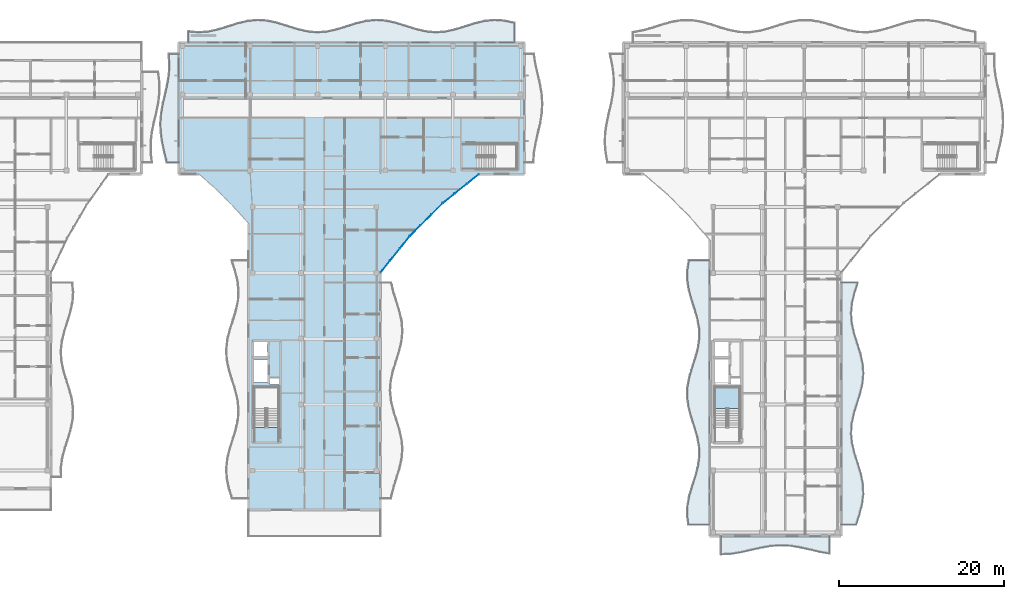
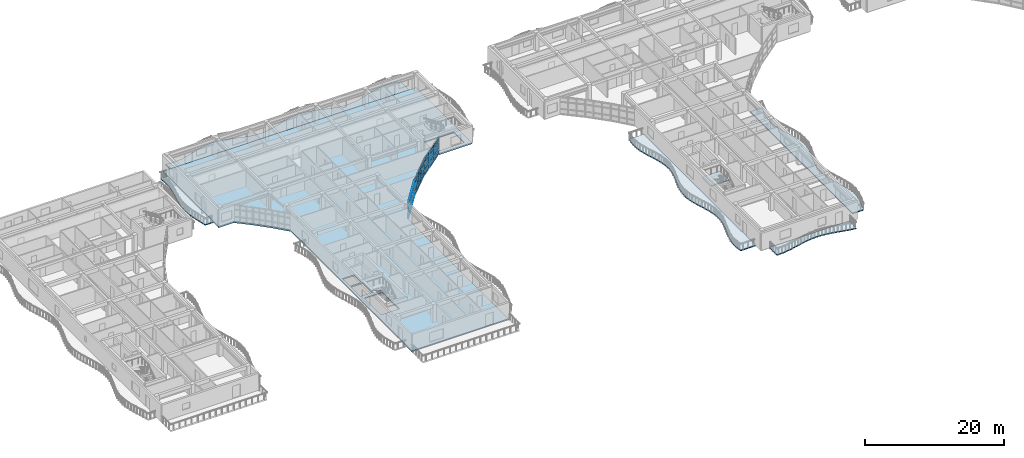
# One storey, part 25 of 71: 27 plates, 7 slabs, 4 elements without a shape of their own.
"""IFC4 building model written with IfcOpenShell, lengths in metres."""

from ifc_helpers import new_model, si_unit, direction, frame, origin, origin_2d, place, context, subcontext, project, spatial, polyline, rectangle, outline, extrude, material, layer, layer_set, type_object, element, aggregate, save


model = new_model("IFC4")

# Units and contexts
model_context = context("Model", 3, precision=1e-05, world=origin(), true_north=direction((0.0, 1.0)))
body_context = subcontext(model_context, "Body", "Model", "MODEL_VIEW")
ifc_project = project(units=[si_unit("LENGTHUNIT", "METRE"), si_unit("AREAUNIT", "SQUARE_METRE"), si_unit("VOLUMEUNIT", "CUBIC_METRE"), si_unit("PLANEANGLEUNIT", "RADIAN"), si_unit("MASSUNIT", "GRAM", prefix="KILO")], contexts=[model_context])

# Site, building, storey
site_placement = place(None, origin())
site = spatial("IfcSite", under=ifc_project, at=site_placement, CompositionType="ELEMENT")
building_placement = place(site_placement, origin())
building = spatial("IfcBuilding", under=site, at=building_placement, Name="Keldmere Railside Commons", CompositionType="ELEMENT")
storey_placement = place(building_placement, frame((0.0, 0.0, 20.159912109375)))
storey = spatial("IfcBuildingStorey", under=building, at=storey_placement, Name="L06", CompositionType="ELEMENT", Elevation=20.159912109375)

# Curtain wall, plates
ifc_material_1 = material(Name="Thermally Broken Aluminium", Category="aluminium")
ifc_layer_1 = layer(ifc_material_1, 0.159912109375, Name="Court Chord Wintergarden CW 4800x2850")
ifc_layer_set_1 = layer_set([ifc_layer_1], Name="Thermally Broken Aluminium")
curtain_wall_type_1 = type_object("IfcCurtainWallType", Name="Court Chord Wintergarden CW 4800x2850", PredefinedType="NOTDEFINED", material=ifc_layer_set_1)
curtain_wall_1_placement = place(storey_placement, origin())
curtain_wall_1 = element("IfcCurtainWall", 1, at=curtain_wall_1_placement, inside=storey, type_object=curtain_wall_type_1, Name="CW-12 CW-L06-061", PredefinedType="NOTDEFINED")
ifc_material_2 = material(Name="Low-E Insulated Double Glazing", Category="glass")
ifc_layer_2 = layer(ifc_material_2, 0.033935546875, Name="Acoustic Laminated Vision Panel 34")
ifc_layer_set_2 = layer_set([ifc_layer_2], Name="Low-E Insulated Double Glazing")
plate_type_1 = type_object("IfcPlateType", Name="Acoustic Laminated Vision Panel 34", PredefinedType="CURTAIN_PANEL", material=ifc_layer_set_2)
plate_1_placement = place(storey_placement, frame((66.951416015625, 91.678955078125, 0.06494140625), z_axis=(0.0, 0.0, 1.0), x_axis=(-0.625768080915, -0.780009172323, 0.0)))
plate_1 = element("IfcPlate", 2, at=plate_1_placement, type_object=plate_type_1, Name="CW-12 panel 1.1", PredefinedType="CURTAIN_PANEL", context=body_context, shape_type="SweptSolid", body=[
    extrude(rectangle(XDim=1.795654296875, YDim=0.033935546875, at=origin_2d()), origin(), (0.0, 0.0, 1.0), 0.802490234375),
])
plate_2_placement = place(storey_placement, frame((66.951416015625, 91.678955078125, 0.9326171875), z_axis=(0.0, 0.0, 1.0), x_axis=(-0.625768080915, -0.780009172323, 0.0)))
plate_2 = element("IfcPlate", 3, at=plate_2_placement, type_object=plate_type_1, Name="CW-12 panel 1.2", PredefinedType="CURTAIN_PANEL", context=body_context, shape_type="SweptSolid", body=[
    extrude(rectangle(XDim=1.795654296875, YDim=0.033935546875, at=origin_2d()), origin(), (0.0, 0.0, 1.0), 1.18505859375),
])
plate_3_placement = place(storey_placement, frame((66.951416015625, 91.678955078125, 2.1826171875), z_axis=(0.0, 0.0, 1.0), x_axis=(-0.625768080915, -0.780009172323, 0.0)))
plate_3 = element("IfcPlate", 4, at=plate_3_placement, type_object=plate_type_1, Name="CW-12 panel 1.3", PredefinedType="CURTAIN_PANEL", context=body_context, shape_type="SweptSolid", body=[
    extrude(rectangle(XDim=1.795654296875, YDim=0.033935546875, at=origin_2d()), origin(), (0.0, 0.0, 1.0), 0.732421875),
])
plate_4_placement = place(storey_placement, frame((65.777099609375, 90.215087890625, 0.06494140625), z_axis=(0.0, 0.0, 1.0), x_axis=(-0.625768080915, -0.780009172323, 0.0)))
plate_4 = element("IfcPlate", 5, at=plate_4_placement, type_object=plate_type_1, Name="CW-12 panel 2.1", PredefinedType="CURTAIN_PANEL", context=body_context, shape_type="SweptSolid", body=[
    extrude(rectangle(XDim=1.828125, YDim=0.033935546875, at=origin_2d()), origin(), (0.0, 0.0, 1.0), 0.802490234375),
])
plate_5_placement = place(storey_placement, frame((65.777099609375, 90.215087890625, 0.9326171875), z_axis=(0.0, 0.0, 1.0), x_axis=(-0.625768080915, -0.780009172323, 0.0)))
plate_5 = element("IfcPlate", 6, at=plate_5_placement, type_object=plate_type_1, Name="CW-12 panel 2.2", PredefinedType="CURTAIN_PANEL", context=body_context, shape_type="SweptSolid", body=[
    extrude(rectangle(XDim=1.828125, YDim=0.033935546875, at=origin_2d()), origin(), (0.0, 0.0, 1.0), 1.18505859375),
])
plate_6_placement = place(storey_placement, frame((65.777099609375, 90.215087890625, 2.1826171875), z_axis=(0.0, 0.0, 1.0), x_axis=(-0.625768080915, -0.780009172323, 0.0)))
plate_6 = element("IfcPlate", 7, at=plate_6_placement, type_object=plate_type_1, Name="CW-12 panel 2.3", PredefinedType="CURTAIN_PANEL", context=body_context, shape_type="SweptSolid", body=[
    extrude(rectangle(XDim=1.828125, YDim=0.033935546875, at=origin_2d()), origin(), (0.0, 0.0, 1.0), 0.732421875),
])
plate_7_placement = place(storey_placement, frame((64.6025390625, 88.7509765625, 0.06494140625), z_axis=(0.0, 0.0, 1.0), x_axis=(-0.625768080915, -0.780009172323, 0.0)))
plate_7 = element("IfcPlate", 8, at=plate_7_placement, type_object=plate_type_1, Name="CW-12 panel 3.1", PredefinedType="CURTAIN_PANEL", context=body_context, shape_type="SweptSolid", body=[
    extrude(rectangle(XDim=1.795654296875, YDim=0.033935546875, at=origin_2d()), origin(), (0.0, 0.0, 1.0), 0.802490234375),
])
plate_8_placement = place(storey_placement, frame((64.6025390625, 88.7509765625, 0.9326171875), z_axis=(0.0, 0.0, 1.0), x_axis=(-0.625768080915, -0.780009172323, 0.0)))
plate_8 = element("IfcPlate", 9, at=plate_8_placement, type_object=plate_type_1, Name="CW-12 panel 3.2", PredefinedType="CURTAIN_PANEL", context=body_context, shape_type="SweptSolid", body=[
    extrude(rectangle(XDim=1.795654296875, YDim=0.033935546875, at=origin_2d()), origin(), (0.0, 0.0, 1.0), 1.18505859375),
])
plate_9_placement = place(storey_placement, frame((64.6025390625, 88.7509765625, 2.1826171875), z_axis=(0.0, 0.0, 1.0), x_axis=(-0.625768080915, -0.780009172323, 0.0)))
plate_9 = element("IfcPlate", 10, at=plate_9_placement, type_object=plate_type_1, Name="CW-12 panel 3.3", PredefinedType="CURTAIN_PANEL", context=body_context, shape_type="SweptSolid", body=[
    extrude(rectangle(XDim=1.795654296875, YDim=0.033935546875, at=origin_2d()), origin(), (0.0, 0.0, 1.0), 0.732421875),
])
aggregate(curtain_wall_1, [plate_1, plate_2, plate_3, plate_4, plate_5, plate_6, plate_7, plate_8, plate_9])

ifc_layer_3 = layer(ifc_material_1, 0.159912109375, Name="Court Chord Wintergarden CW 5400x2850")
ifc_layer_set_3 = layer_set([ifc_layer_3], Name="Thermally Broken Aluminium")
curtain_wall_type_2 = type_object("IfcCurtainWallType", Name="Court Chord Wintergarden CW 5400x2850", PredefinedType="NOTDEFINED", material=ifc_layer_set_3)
curtain_wall_2_placement = place(storey_placement, origin())
curtain_wall_2 = element("IfcCurtainWall", 11, at=curtain_wall_2_placement, inside=storey, type_object=curtain_wall_type_2, Name="CW-13 CW-L06-062", PredefinedType="NOTDEFINED")
ifc_layer_4 = layer(ifc_material_2, 0.031982421875, Name="Clerestory Solar-Control Vision Panel 32")
ifc_layer_set_4 = layer_set([ifc_layer_4], Name="Low-E Insulated Double Glazing")
plate_type_2 = type_object("IfcPlateType", Name="Clerestory Solar-Control Vision Panel 32", PredefinedType="CURTAIN_PANEL", material=ifc_layer_set_4)
plate_10_placement = place(storey_placement, frame((70.88916015625, 95.76513671875, 0.06494140625), z_axis=(0.0, 0.0, 1.0), x_axis=(-0.707106781187, -0.707106781187, 0.0)))
plate_10 = element("IfcPlate", 12, at=plate_10_placement, type_object=plate_type_2, Name="CW-13 panel 1.1", PredefinedType="CURTAIN_PANEL", context=body_context, shape_type="SweptSolid", body=[
    extrude(rectangle(XDim=1.795654296875, YDim=0.031982421875, at=origin_2d()), origin(), (0.0, 0.0, 1.0), 0.802490234375),
])
plate_11_placement = place(storey_placement, frame((70.88916015625, 95.76513671875, 0.9326171875), z_axis=(0.0, 0.0, 1.0), x_axis=(-0.707106781187, -0.707106781187, 0.0)))
plate_11 = element("IfcPlate", 13, at=plate_11_placement, type_object=plate_type_2, Name="CW-13 panel 1.2", PredefinedType="CURTAIN_PANEL", context=body_context, shape_type="SweptSolid", body=[
    extrude(rectangle(XDim=1.795654296875, YDim=0.031982421875, at=origin_2d()), origin(), (0.0, 0.0, 1.0), 1.18505859375),
])
plate_12_placement = place(storey_placement, frame((70.88916015625, 95.76513671875, 2.1826171875), z_axis=(0.0, 0.0, 1.0), x_axis=(-0.707106781187, -0.707106781187, 0.0)))
plate_12 = element("IfcPlate", 14, at=plate_12_placement, type_object=plate_type_2, Name="CW-13 panel 1.3", PredefinedType="CURTAIN_PANEL", context=body_context, shape_type="SweptSolid", body=[
    extrude(rectangle(XDim=1.795654296875, YDim=0.031982421875, at=origin_2d()), origin(), (0.0, 0.0, 1.0), 0.732421875),
])
plate_13_placement = place(storey_placement, frame((69.56201171875, 94.43798828125, 0.06494140625), z_axis=(0.0, 0.0, 1.0), x_axis=(-0.707106781187, -0.707106781187, 0.0)))
plate_13 = element("IfcPlate", 15, at=plate_13_placement, type_object=plate_type_2, Name="CW-13 panel 2.1", PredefinedType="CURTAIN_PANEL", context=body_context, shape_type="SweptSolid", body=[
    extrude(rectangle(XDim=1.828125, YDim=0.031982421875, at=origin_2d()), origin(), (0.0, 0.0, 1.0), 0.802490234375),
])
plate_14_placement = place(storey_placement, frame((69.56201171875, 94.43798828125, 0.9326171875), z_axis=(0.0, 0.0, 1.0), x_axis=(-0.707106781187, -0.707106781187, 0.0)))
plate_14 = element("IfcPlate", 16, at=plate_14_placement, type_object=plate_type_2, Name="CW-13 panel 2.2", PredefinedType="CURTAIN_PANEL", context=body_context, shape_type="SweptSolid", body=[
    extrude(rectangle(XDim=1.828125, YDim=0.031982421875, at=origin_2d()), origin(), (0.0, 0.0, 1.0), 1.18505859375),
])
plate_15_placement = place(storey_placement, frame((69.56201171875, 94.43798828125, 2.1826171875), z_axis=(0.0, 0.0, 1.0), x_axis=(-0.707106781187, -0.707106781187, 0.0)))
plate_15 = element("IfcPlate", 17, at=plate_15_placement, type_object=plate_type_2, Name="CW-13 panel 2.3", PredefinedType="CURTAIN_PANEL", context=body_context, shape_type="SweptSolid", body=[
    extrude(rectangle(XDim=1.828125, YDim=0.031982421875, at=origin_2d()), origin(), (0.0, 0.0, 1.0), 0.732421875),
])
plate_16_placement = place(storey_placement, frame((68.23486328125, 93.11083984375, 0.06494140625), z_axis=(0.0, 0.0, 1.0), x_axis=(-0.707106781187, -0.707106781187, 0.0)))
plate_16 = element("IfcPlate", 18, at=plate_16_placement, type_object=plate_type_2, Name="CW-13 panel 3.1", PredefinedType="CURTAIN_PANEL", context=body_context, shape_type="SweptSolid", body=[
    extrude(rectangle(XDim=1.795654296875, YDim=0.031982421875, at=origin_2d()), origin(), (0.0, 0.0, 1.0), 0.802490234375),
])
plate_17_placement = place(storey_placement, frame((68.23486328125, 93.11083984375, 0.9326171875), z_axis=(0.0, 0.0, 1.0), x_axis=(-0.707106781187, -0.707106781187, 0.0)))
plate_17 = element("IfcPlate", 19, at=plate_17_placement, type_object=plate_type_2, Name="CW-13 panel 3.2", PredefinedType="CURTAIN_PANEL", context=body_context, shape_type="SweptSolid", body=[
    extrude(rectangle(XDim=1.795654296875, YDim=0.031982421875, at=origin_2d()), origin(), (0.0, 0.0, 1.0), 1.18505859375),
])
plate_18_placement = place(storey_placement, frame((68.23486328125, 93.11083984375, 2.1826171875), z_axis=(0.0, 0.0, 1.0), x_axis=(-0.707106781187, -0.707106781187, 0.0)))
plate_18 = element("IfcPlate", 20, at=plate_18_placement, type_object=plate_type_2, Name="CW-13 panel 3.3", PredefinedType="CURTAIN_PANEL", context=body_context, shape_type="SweptSolid", body=[
    extrude(rectangle(XDim=1.795654296875, YDim=0.031982421875, at=origin_2d()), origin(), (0.0, 0.0, 1.0), 0.732421875),
])
aggregate(curtain_wall_2, [plate_10, plate_11, plate_12, plate_13, plate_14, plate_15, plate_16, plate_17, plate_18])

# Stair, slab
ifc_material_3 = material(Name="Concrete H-30 (C30/37)", Category="concrete")
stair_type = type_object("IfcStairType", Name="Basement Garage Dogleg Escape Stair 1450", PredefinedType="HALF_TURN_STAIR", material=ifc_material_3)
stair_placement = place(storey_placement, origin())
stair = element("IfcStair", 21, at=stair_placement, inside=storey, type_object=stair_type, Name="L06 Block B Primary Escape Stair 1", PredefinedType="HALF_TURN_STAIR")
ifc_layer_5 = layer(ifc_material_3, 0.199951171875, Name="Enclosed Stair Landing Slab 200")
ifc_layer_set_5 = layer_set([ifc_layer_5], Name="Concrete H-30 (C30/37)")
slab_type_1 = type_object("IfcSlabType", Name="Enclosed Stair Landing Slab 200", PredefinedType="LANDING", material=ifc_layer_set_5)
slab_1_placement = place(storey_placement, frame((0.0, 0.0, 1.400146484375)))
slab_1 = element("IfcSlab", 22, at=slab_1_placement, type_object=slab_type_1, Name="ST-B1 landing 1", PredefinedType="LANDING", context=body_context, shape_type="SweptSolid", body=[
    extrude(outline(polyline([(107.699951171875, 71.52001953125), (107.699951171875, 74.10009765625), (104.64990234375, 74.10009765625), (104.64990234375, 71.52001953125), (107.699951171875, 71.52001953125)])), origin(), (0.0, 0.0, 1.0), 0.199951171875),
])
aggregate(stair, [slab_1])

# Curtain wall, plates
curtain_wall_3_placement = place(storey_placement, origin())
curtain_wall_3 = element("IfcCurtainWall", 23, at=curtain_wall_3_placement, inside=storey, type_object=curtain_wall_type_1, Name="CW-12 CW-L06-063", PredefinedType="NOTDEFINED")
ifc_layer_6 = layer(ifc_material_2, 0.028076171875, Name="Low-E Vision Glazing Panel 28")
ifc_layer_set_6 = layer_set([ifc_layer_6], Name="Low-E Insulated Double Glazing")
plate_type_3 = type_object("IfcPlateType", Name="Low-E Vision Glazing Panel 28", PredefinedType="CURTAIN_PANEL", material=ifc_layer_set_6)
plate_19_placement = place(storey_placement, frame((75.2490234375, 99.3974609375, 0.06494140625), z_axis=(0.0, 0.0, 1.0), x_axis=(-0.780009172323, -0.625768080915, 0.0)))
plate_19 = element("IfcPlate", 24, at=plate_19_placement, type_object=plate_type_3, Name="CW-12 panel 1.1", PredefinedType="CURTAIN_PANEL", context=body_context, shape_type="SweptSolid", body=[
    extrude(rectangle(XDim=1.795654296875, YDim=0.028076171875, at=origin_2d()), origin(), (0.0, 0.0, 1.0), 0.802490234375),
])
plate_20_placement = place(storey_placement, frame((75.2490234375, 99.3974609375, 0.9326171875), z_axis=(0.0, 0.0, 1.0), x_axis=(-0.780009172323, -0.625768080915, 0.0)))
plate_20 = element("IfcPlate", 25, at=plate_20_placement, type_object=plate_type_3, Name="CW-12 panel 1.2", PredefinedType="CURTAIN_PANEL", context=body_context, shape_type="SweptSolid", body=[
    extrude(rectangle(XDim=1.795654296875, YDim=0.028076171875, at=origin_2d()), origin(), (0.0, 0.0, 1.0), 1.18505859375),
])
plate_21_placement = place(storey_placement, frame((75.2490234375, 99.3974609375, 2.1826171875), z_axis=(0.0, 0.0, 1.0), x_axis=(-0.780009172323, -0.625768080915, 0.0)))
plate_21 = element("IfcPlate", 26, at=plate_21_placement, type_object=plate_type_3, Name="CW-12 panel 1.3", PredefinedType="CURTAIN_PANEL", context=body_context, shape_type="SweptSolid", body=[
    extrude(rectangle(XDim=1.795654296875, YDim=0.028076171875, at=origin_2d()), origin(), (0.0, 0.0, 1.0), 0.732421875),
])
plate_22_placement = place(storey_placement, frame((73.784912109375, 98.222900390625, 0.06494140625), z_axis=(0.0, 0.0, 1.0), x_axis=(-0.780009172323, -0.625768080915, 0.0)))
plate_22 = element("IfcPlate", 27, at=plate_22_placement, type_object=plate_type_3, Name="CW-12 panel 2.1", PredefinedType="CURTAIN_PANEL", context=body_context, shape_type="SweptSolid", body=[
    extrude(rectangle(XDim=1.828125, YDim=0.028076171875, at=origin_2d()), origin(), (0.0, 0.0, 1.0), 0.802490234375),
])
plate_23_placement = place(storey_placement, frame((73.784912109375, 98.222900390625, 0.9326171875), z_axis=(0.0, 0.0, 1.0), x_axis=(-0.780009172323, -0.625768080915, 0.0)))
plate_23 = element("IfcPlate", 28, at=plate_23_placement, type_object=plate_type_3, Name="CW-12 panel 2.2", PredefinedType="CURTAIN_PANEL", context=body_context, shape_type="SweptSolid", body=[
    extrude(rectangle(XDim=1.828125, YDim=0.028076171875, at=origin_2d()), origin(), (0.0, 0.0, 1.0), 1.18505859375),
])
plate_24_placement = place(storey_placement, frame((73.784912109375, 98.222900390625, 2.1826171875), z_axis=(0.0, 0.0, 1.0), x_axis=(-0.780009172323, -0.625768080915, 0.0)))
plate_24 = element("IfcPlate", 29, at=plate_24_placement, type_object=plate_type_3, Name="CW-12 panel 2.3", PredefinedType="CURTAIN_PANEL", context=body_context, shape_type="SweptSolid", body=[
    extrude(rectangle(XDim=1.828125, YDim=0.028076171875, at=origin_2d()), origin(), (0.0, 0.0, 1.0), 0.732421875),
])
plate_25_placement = place(storey_placement, frame((72.321044921875, 97.048583984375, 0.06494140625), z_axis=(0.0, 0.0, 1.0), x_axis=(-0.780009172323, -0.625768080915, 0.0)))
plate_25 = element("IfcPlate", 30, at=plate_25_placement, type_object=plate_type_3, Name="CW-12 panel 3.1", PredefinedType="CURTAIN_PANEL", context=body_context, shape_type="SweptSolid", body=[
    extrude(rectangle(XDim=1.795654296875, YDim=0.028076171875, at=origin_2d()), origin(), (0.0, 0.0, 1.0), 0.802490234375),
])
plate_26_placement = place(storey_placement, frame((72.321044921875, 97.048583984375, 0.9326171875), z_axis=(0.0, 0.0, 1.0), x_axis=(-0.780009172323, -0.625768080915, 0.0)))
plate_26 = element("IfcPlate", 31, at=plate_26_placement, type_object=plate_type_3, Name="CW-12 panel 3.2", PredefinedType="CURTAIN_PANEL", context=body_context, shape_type="SweptSolid", body=[
    extrude(rectangle(XDim=1.795654296875, YDim=0.028076171875, at=origin_2d()), origin(), (0.0, 0.0, 1.0), 1.18505859375),
])
plate_27_placement = place(storey_placement, frame((72.321044921875, 97.048583984375, 2.1826171875), z_axis=(0.0, 0.0, 1.0), x_axis=(-0.780009172323, -0.625768080915, 0.0)))
plate_27 = element("IfcPlate", 32, at=plate_27_placement, type_object=plate_type_3, Name="CW-12 panel 3.3", PredefinedType="CURTAIN_PANEL", context=body_context, shape_type="SweptSolid", body=[
    extrude(rectangle(XDim=1.795654296875, YDim=0.028076171875, at=origin_2d()), origin(), (0.0, 0.0, 1.0), 0.732421875),
])
aggregate(curtain_wall_3, [plate_19, plate_20, plate_21, plate_22, plate_23, plate_24, plate_25, plate_26, plate_27])

# Slabs
ifc_layer_7 = layer(ifc_material_3, 0.219970703125, Name="Residential Flat Slab 220")
ifc_layer_set_7 = layer_set([ifc_layer_7], Name="Concrete H-30 (C30/37)")
slab_type_2 = type_object("IfcSlabType", Name="Residential Flat Slab 220", PredefinedType="FLOOR", material=ifc_layer_set_7)
slab_2_placement = place(storey_placement, frame((0.0, 0.0, -0.219970703125)))
element("IfcSlab", 33, at=slab_2_placement, inside=storey, type_object=slab_type_2, Name="FS-2 BLKC-L06-026", PredefinedType="FLOOR", context=body_context, shape_type="SweptSolid", body=[
    extrude(outline(polyline([(48.0, 59.199951171875), (64.0, 59.199951171875), (64.0, 88.0), (67.553955078125, 92.429931640625), (71.570068359375, 96.446044921875), (76.0, 100.0), (81.5, 100.0), (81.5, 116.0), (39.5, 116.0), (39.5, 100.0), (42.0, 100.0), (44.10791015625, 98.110107421875), (46.110107421875, 96.10791015625), (48.0, 94.0), (48.0, 59.199951171875)]), holes=[polyline([(51.675048828125, 69.22509765625), (48.675048828125, 69.22509765625), (48.675048828125, 74.074951171875), (51.675048828125, 74.074951171875), (51.675048828125, 69.22509765625)]), polyline([(50.60009765625, 74.419921875), (50.60009765625, 75.159912109375), (51.699951171875, 75.159912109375), (51.699951171875, 74.419921875), (50.60009765625, 74.419921875)]), polyline([(50.39990234375, 74.699951171875), (48.39990234375, 74.699951171875), (48.39990234375, 77.5), (50.39990234375, 77.5), (50.39990234375, 74.699951171875)]), polyline([(50.300048828125, 77.75), (48.39990234375, 77.75), (48.39990234375, 79.800048828125), (50.300048828125, 79.800048828125), (50.300048828125, 77.75)]), polyline([(75.72509765625, 103.625), (80.574951171875, 103.625), (80.574951171875, 100.625), (75.72509765625, 100.625), (75.72509765625, 103.625)])]), origin(), (0.0, 0.0, 1.0), 0.219970703125),
])
ifc_material_4 = material(Name="White Precast Concrete H-35 (C35/45)", Category="concrete")
ifc_layer_8 = layer(ifc_material_4, 0.179931640625, Name="Sinusoidal Wave Balcony Slab 180")
ifc_layer_set_8 = layer_set([ifc_layer_8], Name="White Precast Concrete H-35 (C35/45)")
slab_type_3 = type_object("IfcSlabType", Name="Sinusoidal Wave Balcony Slab 180", PredefinedType="FLOOR", material=ifc_layer_set_8)
slab_3_placement = place(storey_placement, frame((0.0, 0.0, -0.179931640625)))
element("IfcSlab", 34, at=slab_3_placement, inside=storey, type_object=slab_type_3, Name="WB-1 C L06 N Wave Balcony", PredefinedType="FLOOR", context=body_context, shape_type="SweptSolid", body=[
    extrude(outline(polyline([(40.699951171875, 116.0), (41.89990234375, 116.0), (43.10009765625, 116.0), (44.300048828125, 116.0), (45.5, 116.0), (46.699951171875, 116.0), (47.89990234375, 116.0), (49.10009765625, 116.0), (50.300048828125, 116.0), (51.5, 116.0), (52.699951171875, 116.0), (53.89990234375, 116.0), (55.10009765625, 116.0), (56.300048828125, 116.0), (57.5, 116.0), (58.699951171875, 116.0), (59.89990234375, 116.0), (61.10009765625, 116.0), (62.300048828125, 116.0), (63.5, 116.0), (64.699951171875, 116.0), (65.89990234375, 116.0), (67.10009765625, 116.0), (68.300048828125, 116.0), (69.5, 116.0), (70.699951171875, 116.0), (71.89990234375, 116.0), (73.10009765625, 116.0), (74.300048828125, 116.0), (75.5, 116.0), (76.699951171875, 116.0), (77.89990234375, 116.0), (79.10009765625, 116.0), (80.300048828125, 116.0), (80.300048828125, 118.349853515625), (79.10009765625, 118.613525390625), (77.89990234375, 118.699462890625), (76.699951171875, 118.58447265625), (75.5, 118.299560546875), (74.300048828125, 117.9208984375), (73.10009765625, 117.550048828125), (71.89990234375, 117.286376953125), (70.699951171875, 117.20068359375), (69.5, 117.3154296875), (68.300048828125, 117.6005859375), (67.10009765625, 117.97900390625), (65.89990234375, 118.349853515625), (64.699951171875, 118.613525390625), (63.5, 118.699462890625), (62.300048828125, 118.58447265625), (61.10009765625, 118.299560546875), (59.89990234375, 117.9208984375), (58.699951171875, 117.550048828125), (57.5, 117.286376953125), (56.300048828125, 117.20068359375), (55.10009765625, 117.3154296875), (53.89990234375, 117.6005859375), (52.699951171875, 117.97900390625), (51.5, 118.349853515625), (50.300048828125, 118.613525390625), (49.10009765625, 118.699462890625), (47.89990234375, 118.58447265625), (46.699951171875, 118.299560546875), (45.5, 117.9208984375), (44.300048828125, 117.550048828125), (43.10009765625, 117.286376953125), (41.89990234375, 117.20068359375), (40.699951171875, 117.3154296875), (40.699951171875, 116.0)])), origin(), (0.0, 0.0, 1.0), 0.179931640625),
])
slab_4_placement = place(storey_placement, frame((0.0, 0.0, -0.179931640625)))
element("IfcSlab", 35, at=slab_4_placement, inside=storey, type_object=slab_type_3, Name="WB-1 C L06 WW Wave Balcony", PredefinedType="FLOOR", context=body_context, shape_type="SweptSolid", body=[
    extrude(outline(polyline([(39.5, 101.39990234375), (39.5, 102.60009765625), (39.5, 103.800048828125), (39.5, 105.0), (39.5, 106.199951171875), (39.5, 107.39990234375), (39.5, 108.60009765625), (39.5, 109.800048828125), (39.5, 111.0), (39.5, 112.199951171875), (39.5, 113.39990234375), (39.5, 114.60009765625), (38.299560546875, 114.60009765625), (38.397705078125, 113.39990234375), (38.34912109375, 112.199951171875), (38.1669921875, 111.0), (37.899658203125, 109.800048828125), (37.619140625, 108.60009765625), (37.400390625, 107.39990234375), (37.30224609375, 106.199951171875), (37.350830078125, 105.0), (37.533203125, 103.800048828125), (37.80029296875, 102.60009765625), (38.080810546875, 101.39990234375), (39.5, 101.39990234375)])), origin(), (0.0, 0.0, 1.0), 0.179931640625),
])
slab_5_placement = place(storey_placement, frame((0.0, 0.0, -0.179931640625)))
element("IfcSlab", 36, at=slab_5_placement, inside=storey, type_object=slab_type_3, Name="WB-1 B L06 CE Wave Balcony", PredefinedType="FLOOR", context=body_context, shape_type="SweptSolid", body=[
    extrude(outline(polyline([(121.8134765625, 57.39990234375), (122.2080078125, 58.625), (122.53076171875, 59.85009765625), (122.69140625, 61.074951171875), (122.6455078125, 62.300048828125), (122.4052734375, 63.52490234375), (122.0380859375, 64.75), (121.646484375, 65.97509765625), (121.33935546875, 67.199951171875), (121.20263671875, 68.425048828125), (121.2744140625, 69.64990234375), (121.53466796875, 70.875), (121.910888671875, 72.10009765625), (122.2978515625, 73.324951171875), (122.587890625, 74.550048828125), (122.699951171875, 75.77490234375), (122.602783203125, 77.0), (122.323486328125, 78.22509765625), (121.940185546875, 79.449951171875), (121.5595703125, 80.675048828125), (121.287841796875, 81.89990234375), (121.20068359375, 83.125), (121.32275390625, 84.35009765625), (121.619873046875, 85.574951171875), (122.0087890625, 86.800048828125), (120.0, 86.800048828125), (120.0, 85.574951171875), (120.0, 84.35009765625), (120.0, 83.125), (120.0, 81.89990234375), (120.0, 80.675048828125), (120.0, 79.449951171875), (120.0, 78.22509765625), (120.0, 77.0), (120.0, 75.77490234375), (120.0, 74.550048828125), (120.0, 73.324951171875), (120.0, 72.10009765625), (120.0, 70.875), (120.0, 69.64990234375), (120.0, 68.425048828125), (120.0, 67.199951171875), (120.0, 65.97509765625), (120.0, 64.75), (120.0, 63.52490234375), (120.0, 62.300048828125), (120.0, 61.074951171875), (120.0, 59.85009765625), (120.0, 58.625), (120.0, 57.39990234375), (121.8134765625, 57.39990234375)])), origin(), (0.0, 0.0, 1.0), 0.179931640625),
])
slab_6_placement = place(storey_placement, frame((0.0, 0.0, -0.179931640625)))
element("IfcSlab", 37, at=slab_6_placement, inside=storey, type_object=slab_type_3, Name="WB-1 B L06 CW Wave Balcony", PredefinedType="FLOOR", context=body_context, shape_type="SweptSolid", body=[
    extrude(outline(polyline([(104.0, 57.39990234375), (104.0, 58.5888671875), (104.0, 59.77783203125), (104.0, 60.966796875), (104.0, 62.155517578125), (104.0, 63.344482421875), (104.0, 64.533203125), (104.0, 65.72216796875), (104.0, 66.9111328125), (104.0, 68.10009765625), (104.0, 69.288818359375), (104.0, 70.477783203125), (104.0, 71.666748046875), (104.0, 72.855712890625), (104.0, 74.04443359375), (104.0, 75.2333984375), (104.0, 76.422119140625), (104.0, 77.611083984375), (104.0, 78.800048828125), (104.0, 79.989013671875), (104.0, 81.177734375), (104.0, 82.36669921875), (104.0, 83.5556640625), (104.0, 84.744384765625), (104.0, 85.933349609375), (104.0, 87.122314453125), (104.0, 88.31103515625), (104.0, 89.5), (101.52001953125, 89.5), (101.32666015625, 88.31103515625), (101.323486328125, 87.122314453125), (101.51171875, 85.933349609375), (101.841552734375, 84.744384765625), (102.22607421875, 83.5556640625), (102.564453125, 82.36669921875), (102.767333984375, 81.177734375), (102.781494140625, 79.989013671875), (102.603271484375, 78.800048828125), (102.279296875, 77.611083984375), (101.89501953125, 76.422119140625), (101.5517578125, 75.2333984375), (101.33935546875, 74.04443359375), (101.31396484375, 72.855712890625), (101.482421875, 71.666748046875), (101.800048828125, 70.477783203125), (102.183349609375, 69.288818359375), (102.53173828125, 68.10009765625), (102.75341796875, 66.9111328125), (102.789794921875, 65.72216796875), (102.631591796875, 64.533203125), (102.320556640625, 63.344482421875), (101.93798828125, 62.155517578125), (101.585205078125, 60.966796875), (101.3544921875, 59.77783203125), (101.306884765625, 58.5888671875), (101.45458984375, 57.39990234375), (104.0, 57.39990234375)])), origin(), (0.0, 0.0, 1.0), 0.179931640625),
])
slab_7_placement = place(storey_placement, frame((0.0, 0.0, -0.179931640625)))
element("IfcSlab", 38, at=slab_7_placement, inside=storey, type_object=slab_type_3, Name="WB-1 B L06 S Wave Balcony", PredefinedType="FLOOR", context=body_context, shape_type="SweptSolid", body=[
    extrude(outline(polyline([(105.39990234375, 53.80078125), (106.60009765625, 53.859619140625), (107.800048828125, 54.0498046875), (109.0, 54.3203125), (110.199951171875, 54.598876953125), (111.39990234375, 54.810791015625), (112.60009765625, 54.899169921875), (113.800048828125, 54.840576171875), (115.0, 54.650390625), (116.199951171875, 54.379638671875), (117.39990234375, 54.10107421875), (118.60009765625, 53.88916015625), (118.60009765625, 56.0), (117.39990234375, 56.0), (116.199951171875, 56.0), (115.0, 56.0), (113.800048828125, 56.0), (112.60009765625, 56.0), (111.39990234375, 56.0), (110.199951171875, 56.0), (109.0, 56.0), (107.800048828125, 56.0), (106.60009765625, 56.0), (105.39990234375, 56.0), (105.39990234375, 53.80078125)])), origin(), (0.0, 0.0, 1.0), 0.179931640625),
])

save(model, "model.ifc")
